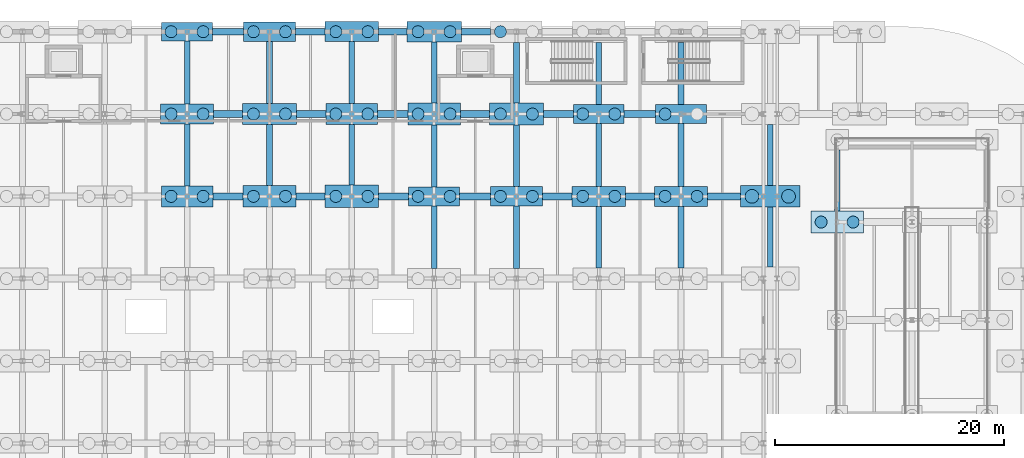
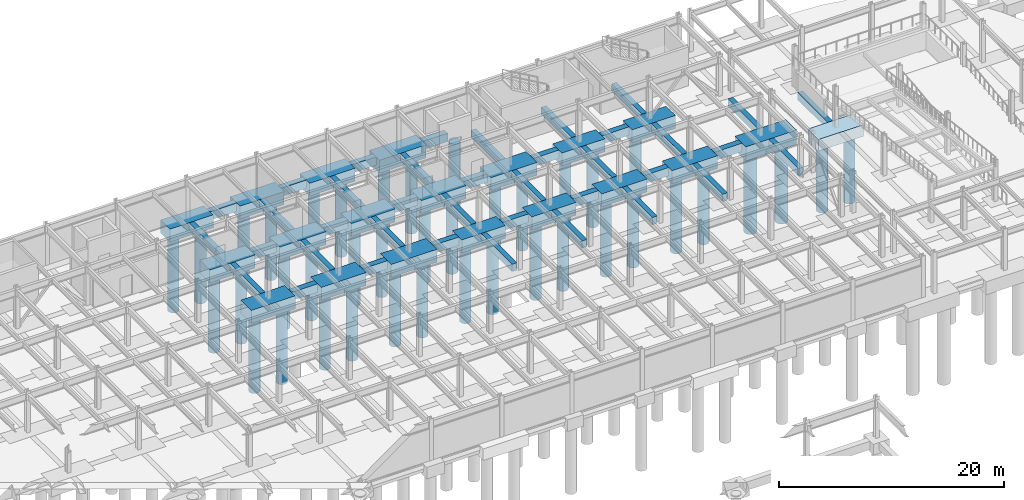
# One storey, part 7 of 54: 58 footings, 40 piles.
"""IFC4 building model written with IfcOpenShell, lengths in metres."""

from ifc_helpers import new_model, si_unit, direction, frame, origin, origin_2d, place, context, subcontext, project, spatial, polyline, rectangle, circle, outline, extrude, material, material_profile, profile_set, type_object, element, save


model = new_model("IFC4")

# Units and contexts
model_context = context("Model", 3, precision=1e-05, world=origin(), true_north=direction((0.0, 1.0)))
body_context = subcontext(model_context, "Body", "Model", "MODEL_VIEW")
ifc_project = project(units=[si_unit("LENGTHUNIT", "METRE"), si_unit("AREAUNIT", "SQUARE_METRE"), si_unit("VOLUMEUNIT", "CUBIC_METRE"), si_unit("PLANEANGLEUNIT", "RADIAN"), si_unit("MASSUNIT", "GRAM", prefix="KILO")], contexts=[model_context])

# Site, building, storey
site_placement = place(None, origin())
site = spatial("IfcSite", under=ifc_project, at=site_placement, CompositionType="ELEMENT")
building_placement = place(site_placement, origin())
building = spatial("IfcBuilding", under=site, at=building_placement, Name="Vaelcorin Mobility Hub", CompositionType="ELEMENT")
storey_placement = place(building_placement, frame((0.0, 0.0, -4.5)))
storey = spatial("IfcBuildingStorey", under=building, at=storey_placement, Name="B1", CompositionType="ELEMENT", Elevation=-4.5)

# Footings
ifc_material = material(Name="Concrete f'c 40 MPa", Category="concrete")
footing_type_1 = type_object("IfcFootingType", Name="FB-500X800", PredefinedType="FOOTING_BEAM", material=ifc_material)
footing_1_placement = place(storey_placement, frame((0.0, 0.0, -0.800048828125)))
element("IfcFooting", 1, at=footing_1_placement, inside=storey, type_object=footing_type_1, Name="Foundation Tie Beam FB-Y-313", PredefinedType="FOOTING_BEAM", context=body_context, shape_type="SweptSolid", body=[
    extrude(outline(polyline([(71.75, 106.52490234375), (72.25, 106.52490234375), (72.25, 111.925048828125), (71.75, 111.925048828125), (71.75, 106.52490234375)])), origin(), (0.0, 0.0, 1.0), 0.800048828125),
])
footing_2_placement = place(storey_placement, frame((0.0, 0.0, -0.800048828125)))
element("IfcFooting", 2, at=footing_2_placement, inside=storey, type_object=footing_type_1, Name="Foundation Tie Beam FB-Y-314", PredefinedType="FOOTING_BEAM", context=body_context, shape_type="SweptSolid", body=[
    extrude(outline(polyline([(71.75, 113.675048828125), (72.25, 113.675048828125), (72.25, 119.175048828125), (71.75, 119.175048828125), (71.75, 113.675048828125)])), origin(), (0.0, 0.0, 1.0), 0.800048828125),
])
footing_3_placement = place(storey_placement, frame((0.0, 0.0, -0.800048828125)))
element("IfcFooting", 3, at=footing_3_placement, inside=storey, type_object=footing_type_1, Name="Foundation Tie Beam FB-Y-320", PredefinedType="FOOTING_BEAM", context=body_context, shape_type="SweptSolid", body=[
    extrude(outline(polyline([(78.949951171875, 106.550048828125), (79.449951171875, 106.550048828125), (79.449951171875, 111.89990234375), (78.949951171875, 111.89990234375), (78.949951171875, 106.550048828125)])), origin(), (0.0, 0.0, 1.0), 0.800048828125),
])
footing_4_placement = place(storey_placement, frame((0.0, 0.0, -0.800048828125)))
element("IfcFooting", 4, at=footing_4_placement, inside=storey, type_object=footing_type_1, Name="Foundation Tie Beam FB-Y-321", PredefinedType="FOOTING_BEAM", context=body_context, shape_type="SweptSolid", body=[
    extrude(outline(polyline([(78.949951171875, 113.699951171875), (79.449951171875, 113.699951171875), (79.449951171875, 119.14990234375), (78.949951171875, 119.14990234375), (78.949951171875, 113.699951171875)])), origin(), (0.0, 0.0, 1.0), 0.800048828125),
])
footing_5_placement = place(storey_placement, frame((0.0, 0.0, -0.800048828125)))
element("IfcFooting", 5, at=footing_5_placement, inside=storey, type_object=footing_type_1, Name="Foundation Tie Beam FB-Y-327", PredefinedType="FOOTING_BEAM", context=body_context, shape_type="SweptSolid", body=[
    extrude(outline(polyline([(86.14990234375, 106.574951171875), (86.64990234375, 106.574951171875), (86.64990234375, 111.875), (86.14990234375, 111.875), (86.14990234375, 106.574951171875)])), origin(), (0.0, 0.0, 1.0), 0.800048828125),
])
footing_6_placement = place(storey_placement, frame((0.0, 0.0, -0.800048828125)))
element("IfcFooting", 6, at=footing_6_placement, inside=storey, type_object=footing_type_1, Name="Foundation Tie Beam FB-Y-328", PredefinedType="FOOTING_BEAM", context=body_context, shape_type="SweptSolid", body=[
    extrude(outline(polyline([(86.14990234375, 113.72509765625), (86.64990234375, 113.72509765625), (86.64990234375, 119.125), (86.14990234375, 119.125), (86.14990234375, 113.72509765625)])), origin(), (0.0, 0.0, 1.0), 0.800048828125),
])
footing_7_placement = place(storey_placement, frame((0.0, 0.0, -0.800048828125)))
element("IfcFooting", 7, at=footing_7_placement, inside=storey, type_object=footing_type_1, Name="Foundation Tie Beam FB-Y-333", PredefinedType="FOOTING_BEAM", context=body_context, shape_type="SweptSolid", body=[
    extrude(outline(polyline([(93.35009765625, 99.27490234375), (93.85009765625, 99.27490234375), (93.85009765625, 104.77490234375), (93.35009765625, 104.77490234375), (93.35009765625, 99.27490234375)])), origin(), (0.0, 0.0, 1.0), 0.800048828125),
])
footing_8_placement = place(storey_placement, frame((0.0, 0.0, -0.800048828125)))
element("IfcFooting", 8, at=footing_8_placement, inside=storey, type_object=footing_type_1, Name="Foundation Tie Beam FB-Y-334", PredefinedType="FOOTING_BEAM", context=body_context, shape_type="SweptSolid", body=[
    extrude(outline(polyline([(93.35009765625, 106.425048828125), (93.85009765625, 106.425048828125), (93.85009765625, 111.85009765625), (93.35009765625, 111.85009765625), (93.35009765625, 106.425048828125)])), origin(), (0.0, 0.0, 1.0), 0.800048828125),
])
footing_9_placement = place(storey_placement, frame((0.0, 0.0, -0.800048828125)))
element("IfcFooting", 9, at=footing_9_placement, inside=storey, type_object=footing_type_1, Name="Foundation Tie Beam FB-Y-335", PredefinedType="FOOTING_BEAM", context=body_context, shape_type="SweptSolid", body=[
    extrude(outline(polyline([(93.35009765625, 113.75), (93.85009765625, 113.75), (93.85009765625, 119.10009765625), (93.35009765625, 119.10009765625), (93.35009765625, 113.75)])), origin(), (0.0, 0.0, 1.0), 0.800048828125),
])
footing_10_placement = place(storey_placement, frame((0.0, 0.0, -0.800048828125)))
element("IfcFooting", 10, at=footing_10_placement, inside=storey, type_object=footing_type_1, Name="Foundation Tie Beam FB-Y-340", PredefinedType="FOOTING_BEAM", context=body_context, shape_type="SweptSolid", body=[
    extrude(outline(polyline([(100.550048828125, 99.300048828125), (101.050048828125, 99.300048828125), (101.050048828125, 104.75), (100.550048828125, 104.75), (100.550048828125, 99.300048828125)])), origin(), (0.0, 0.0, 1.0), 0.800048828125),
])
footing_11_placement = place(storey_placement, frame((0.0, 0.0, -0.800048828125)))
element("IfcFooting", 11, at=footing_11_placement, inside=storey, type_object=footing_type_1, Name="Foundation Tie Beam FB-Y-341", PredefinedType="FOOTING_BEAM", context=body_context, shape_type="SweptSolid", body=[
    extrude(outline(polyline([(100.550048828125, 106.449951171875), (101.050048828125, 106.449951171875), (101.050048828125, 111.824951171875), (100.550048828125, 111.824951171875), (100.550048828125, 106.449951171875)])), origin(), (0.0, 0.0, 1.0), 0.800048828125),
])
footing_12_placement = place(storey_placement, frame((0.0, 0.0, -0.800048828125)))
element("IfcFooting", 12, at=footing_12_placement, inside=storey, type_object=footing_type_1, Name="Foundation Tie Beam FB-Y-342", PredefinedType="FOOTING_BEAM", context=body_context, shape_type="SweptSolid", body=[
    extrude(outline(polyline([(100.550048828125, 113.77490234375), (101.050048828125, 113.77490234375), (101.050048828125, 119.074951171875), (100.550048828125, 119.074951171875), (100.550048828125, 113.77490234375)])), origin(), (0.0, 0.0, 1.0), 0.800048828125),
])
footing_13_placement = place(storey_placement, frame((0.0, 0.0, -0.800048828125)))
element("IfcFooting", 13, at=footing_13_placement, inside=storey, type_object=footing_type_1, Name="Foundation Tie Beam FB-Y-347", PredefinedType="FOOTING_BEAM", context=body_context, shape_type="SweptSolid", body=[
    extrude(outline(polyline([(107.75, 99.324951171875), (108.25, 99.324951171875), (108.25, 104.72509765625), (107.75, 104.72509765625), (107.75, 99.324951171875)])), origin(), (0.0, 0.0, 1.0), 0.800048828125),
])
footing_14_placement = place(storey_placement, frame((0.0, 0.0, -0.800048828125)))
element("IfcFooting", 14, at=footing_14_placement, inside=storey, type_object=footing_type_1, Name="Foundation Tie Beam FB-Y-348", PredefinedType="FOOTING_BEAM", context=body_context, shape_type="SweptSolid", body=[
    extrude(outline(polyline([(107.75, 106.47509765625), (108.25, 106.47509765625), (108.25, 111.97509765625), (107.75, 111.97509765625), (107.75, 106.47509765625)])), origin(), (0.0, 0.0, 1.0), 0.800048828125),
])
footing_15_placement = place(storey_placement, frame((0.0, 0.0, -0.800048828125)))
element("IfcFooting", 15, at=footing_15_placement, inside=storey, type_object=footing_type_1, Name="Foundation Tie Beam FB-Y-349", PredefinedType="FOOTING_BEAM", context=body_context, shape_type="SweptSolid", body=[
    extrude(outline(polyline([(107.75, 113.625), (108.25, 113.625), (108.25, 119.050048828125), (107.75, 119.050048828125), (107.75, 113.625)])), origin(), (0.0, 0.0, 1.0), 0.800048828125),
])
footing_16_placement = place(storey_placement, frame((0.0, 0.0, -0.800048828125)))
element("IfcFooting", 16, at=footing_16_placement, inside=storey, type_object=footing_type_1, Name="Foundation Tie Beam FB-Y-353", PredefinedType="FOOTING_BEAM", context=body_context, shape_type="SweptSolid", body=[
    extrude(outline(polyline([(114.949951171875, 99.324951171875), (115.449951171875, 99.324951171875), (115.449951171875, 104.72509765625), (114.949951171875, 104.72509765625), (114.949951171875, 99.324951171875)])), origin(), (0.0, 0.0, 1.0), 0.800048828125),
])
footing_17_placement = place(storey_placement, frame((0.0, 0.0, -0.800048828125)))
element("IfcFooting", 17, at=footing_17_placement, inside=storey, type_object=footing_type_1, Name="Foundation Tie Beam FB-Y-354", PredefinedType="FOOTING_BEAM", context=body_context, shape_type="SweptSolid", body=[
    extrude(outline(polyline([(114.949951171875, 106.47509765625), (115.449951171875, 106.47509765625), (115.449951171875, 111.97509765625), (114.949951171875, 111.97509765625), (114.949951171875, 106.47509765625)])), origin(), (0.0, 0.0, 1.0), 0.800048828125),
])
footing_18_placement = place(storey_placement, frame((0.0, 0.0, -0.800048828125)))
element("IfcFooting", 18, at=footing_18_placement, inside=storey, type_object=footing_type_1, Name="Foundation Tie Beam FB-Y-355", PredefinedType="FOOTING_BEAM", context=body_context, shape_type="SweptSolid", body=[
    extrude(outline(polyline([(114.949951171875, 113.625), (115.449951171875, 113.625), (115.449951171875, 119.050048828125), (114.949951171875, 119.050048828125), (114.949951171875, 113.625)])), origin(), (0.0, 0.0, 1.0), 0.800048828125),
])
footing_19_placement = place(storey_placement, frame((0.0, 0.0, -0.800048828125)))
element("IfcFooting", 19, at=footing_19_placement, inside=storey, type_object=footing_type_1, Name="Foundation Tie Beam FB-Y-359", PredefinedType="FOOTING_BEAM", context=body_context, shape_type="SweptSolid", body=[
    extrude(outline(polyline([(122.75, 99.39990234375), (123.25, 99.39990234375), (123.25, 104.64990234375), (122.75, 104.64990234375), (122.75, 99.39990234375)])), origin(), (0.0, 0.0, 1.0), 0.800048828125),
])
footing_20_placement = place(storey_placement, frame((0.0, 0.0, -0.800048828125)))
element("IfcFooting", 20, at=footing_20_placement, inside=storey, type_object=footing_type_1, Name="Foundation Tie Beam FB-Y-360", PredefinedType="FOOTING_BEAM", context=body_context, shape_type="SweptSolid", body=[
    extrude(outline(polyline([(122.75, 106.550048828125), (123.25, 106.550048828125), (123.25, 111.89990234375), (122.75, 111.89990234375), (122.75, 106.550048828125)])), origin(), (0.0, 0.0, 1.0), 0.800048828125),
])
footing_21_placement = place(storey_placement, frame((0.0, 0.0, -0.800048828125)))
element("IfcFooting", 21, at=footing_21_placement, inside=storey, type_object=footing_type_1, Name="Foundation Tie Beam FB-Y-483", PredefinedType="FOOTING_BEAM", context=body_context, shape_type="SweptSolid", body=[
    extrude(outline(polyline([(128.60009765625, 104.300048828125), (129.10009765625, 104.300048828125), (129.10009765625, 109.64990234375), (128.60009765625, 109.64990234375), (128.60009765625, 104.300048828125)])), origin(), (0.0, 0.0, 1.0), 0.800048828125),
])
footing_type_2 = type_object("IfcFootingType", Name="FB-600X900", PredefinedType="FOOTING_BEAM", material=ifc_material)
footing_22_placement = place(storey_placement, frame((0.0, 0.0, -0.89990234375)))
element("IfcFooting", 22, at=footing_22_placement, inside=storey, type_object=footing_type_2, Name="Foundation Tie Beam FB-X-102", PredefinedType="FOOTING_BEAM", context=body_context, shape_type="SweptSolid", body=[
    extrude(outline(polyline([(74.25, 105.300048828125), (76.89990234375, 105.300048828125), (76.89990234375, 105.89990234375), (74.25, 105.89990234375), (74.25, 105.300048828125)])), origin(), (0.0, 0.0, 1.0), 0.89990234375),
])
footing_23_placement = place(storey_placement, frame((0.0, 0.0, -0.89990234375)))
element("IfcFooting", 23, at=footing_23_placement, inside=storey, type_object=footing_type_2, Name="Foundation Tie Beam FB-X-103", PredefinedType="FOOTING_BEAM", context=body_context, shape_type="SweptSolid", body=[
    extrude(outline(polyline([(81.5, 105.300048828125), (84.050048828125, 105.300048828125), (84.050048828125, 105.89990234375), (81.5, 105.89990234375), (81.5, 105.300048828125)])), origin(), (0.0, 0.0, 1.0), 0.89990234375),
])
footing_24_placement = place(storey_placement, frame((0.0, 0.0, -0.89990234375)))
element("IfcFooting", 24, at=footing_24_placement, inside=storey, type_object=footing_type_2, Name="Foundation Tie Beam FB-X-104", PredefinedType="FOOTING_BEAM", context=body_context, shape_type="SweptSolid", body=[
    extrude(outline(polyline([(88.75, 105.300048828125), (91.375, 105.300048828125), (91.375, 105.89990234375), (88.75, 105.89990234375), (88.75, 105.300048828125)])), origin(), (0.0, 0.0, 1.0), 0.89990234375),
])
footing_25_placement = place(storey_placement, frame((0.0, 0.0, -0.89990234375)))
element("IfcFooting", 25, at=footing_25_placement, inside=storey, type_object=footing_type_2, Name="Foundation Tie Beam FB-X-105", PredefinedType="FOOTING_BEAM", context=body_context, shape_type="SweptSolid", body=[
    extrude(outline(polyline([(95.824951171875, 105.300048828125), (98.52490234375, 105.300048828125), (98.52490234375, 105.89990234375), (95.824951171875, 105.89990234375), (95.824951171875, 105.300048828125)])), origin(), (0.0, 0.0, 1.0), 0.89990234375),
])
footing_26_placement = place(storey_placement, frame((0.0, 0.0, -0.89990234375)))
element("IfcFooting", 26, at=footing_26_placement, inside=storey, type_object=footing_type_2, Name="Foundation Tie Beam FB-X-106", PredefinedType="FOOTING_BEAM", context=body_context, shape_type="SweptSolid", body=[
    extrude(outline(polyline([(103.074951171875, 105.300048828125), (105.675048828125, 105.300048828125), (105.675048828125, 105.89990234375), (103.074951171875, 105.89990234375), (103.074951171875, 105.300048828125)])), origin(), (0.0, 0.0, 1.0), 0.89990234375),
])
footing_27_placement = place(storey_placement, frame((0.0, 0.0, -0.89990234375)))
element("IfcFooting", 27, at=footing_27_placement, inside=storey, type_object=footing_type_2, Name="Foundation Tie Beam FB-X-107", PredefinedType="FOOTING_BEAM", context=body_context, shape_type="SweptSolid", body=[
    extrude(outline(polyline([(110.324951171875, 105.300048828125), (112.875, 105.300048828125), (112.875, 105.89990234375), (110.324951171875, 105.89990234375), (110.324951171875, 105.300048828125)])), origin(), (0.0, 0.0, 1.0), 0.89990234375),
])
footing_28_placement = place(storey_placement, frame((0.0, 0.0, -0.89990234375)))
element("IfcFooting", 28, at=footing_28_placement, inside=storey, type_object=footing_type_2, Name="Foundation Tie Beam FB-X-108", PredefinedType="FOOTING_BEAM", context=body_context, shape_type="SweptSolid", body=[
    extrude(outline(polyline([(117.52490234375, 105.300048828125), (120.39990234375, 105.300048828125), (120.39990234375, 105.89990234375), (117.52490234375, 105.89990234375), (117.52490234375, 105.300048828125)])), origin(), (0.0, 0.0, 1.0), 0.89990234375),
])
footing_29_placement = place(storey_placement, frame((0.0, 0.0, -0.89990234375)))
element("IfcFooting", 29, at=footing_29_placement, inside=storey, type_object=footing_type_2, Name="Foundation Tie Beam FB-X-125", PredefinedType="FOOTING_BEAM", context=body_context, shape_type="SweptSolid", body=[
    extrude(outline(polyline([(74.324951171875, 112.5), (76.824951171875, 112.5), (76.824951171875, 113.10009765625), (74.324951171875, 113.10009765625), (74.324951171875, 112.5)])), origin(), (0.0, 0.0, 1.0), 0.89990234375),
])
footing_30_placement = place(storey_placement, frame((0.0, 0.0, -0.89990234375)))
element("IfcFooting", 30, at=footing_30_placement, inside=storey, type_object=footing_type_2, Name="Foundation Tie Beam FB-X-126", PredefinedType="FOOTING_BEAM", context=body_context, shape_type="SweptSolid", body=[
    extrude(outline(polyline([(81.574951171875, 112.5), (84.14990234375, 112.5), (84.14990234375, 113.10009765625), (81.574951171875, 113.10009765625), (81.574951171875, 112.5)])), origin(), (0.0, 0.0, 1.0), 0.89990234375),
])
footing_31_placement = place(storey_placement, frame((0.0, 0.0, -0.89990234375)))
element("IfcFooting", 31, at=footing_31_placement, inside=storey, type_object=footing_type_2, Name="Foundation Tie Beam FB-X-127", PredefinedType="FOOTING_BEAM", context=body_context, shape_type="SweptSolid", body=[
    extrude(outline(polyline([(88.64990234375, 112.5), (91.300048828125, 112.5), (91.300048828125, 113.10009765625), (88.64990234375, 113.10009765625), (88.64990234375, 112.5)])), origin(), (0.0, 0.0, 1.0), 0.89990234375),
])
footing_32_placement = place(storey_placement, frame((0.0, 0.0, -0.89990234375)))
element("IfcFooting", 32, at=footing_32_placement, inside=storey, type_object=footing_type_2, Name="Foundation Tie Beam FB-X-128", PredefinedType="FOOTING_BEAM", context=body_context, shape_type="SweptSolid", body=[
    extrude(outline(polyline([(95.89990234375, 112.5), (98.449951171875, 112.5), (98.449951171875, 113.10009765625), (95.89990234375, 113.10009765625), (95.89990234375, 112.5)])), origin(), (0.0, 0.0, 1.0), 0.89990234375),
])
footing_33_placement = place(storey_placement, frame((0.0, 0.0, -0.89990234375)))
element("IfcFooting", 33, at=footing_33_placement, inside=storey, type_object=footing_type_2, Name="Foundation Tie Beam FB-X-129", PredefinedType="FOOTING_BEAM", context=body_context, shape_type="SweptSolid", body=[
    extrude(outline(polyline([(103.14990234375, 112.5), (105.77490234375, 112.5), (105.77490234375, 113.10009765625), (103.14990234375, 113.10009765625), (103.14990234375, 112.5)])), origin(), (0.0, 0.0, 1.0), 0.89990234375),
])
footing_34_placement = place(storey_placement, frame((0.0, 0.0, -0.89990234375)))
element("IfcFooting", 34, at=footing_34_placement, inside=storey, type_object=footing_type_2, Name="Foundation Tie Beam FB-X-130", PredefinedType="FOOTING_BEAM", context=body_context, shape_type="SweptSolid", body=[
    extrude(outline(polyline([(110.22509765625, 112.5), (112.97509765625, 112.5), (112.97509765625, 113.10009765625), (110.22509765625, 113.10009765625), (110.22509765625, 112.5)])), origin(), (0.0, 0.0, 1.0), 0.89990234375),
])
footing_35_placement = place(storey_placement, frame((0.0, 0.0, -0.89990234375)))
element("IfcFooting", 35, at=footing_35_placement, inside=storey, type_object=footing_type_2, Name="Foundation Tie Beam FB-X-149", PredefinedType="FOOTING_BEAM", context=body_context, shape_type="SweptSolid", body=[
    extrude(outline(polyline([(74.22509765625, 119.699951171875), (76.925048828125, 119.699951171875), (76.925048828125, 120.300048828125), (74.22509765625, 120.300048828125), (74.22509765625, 119.699951171875)])), origin(), (0.0, 0.0, 1.0), 0.89990234375),
])
footing_36_placement = place(storey_placement, frame((0.0, 0.0, -0.89990234375)))
element("IfcFooting", 36, at=footing_36_placement, inside=storey, type_object=footing_type_2, Name="Foundation Tie Beam FB-X-150", PredefinedType="FOOTING_BEAM", context=body_context, shape_type="SweptSolid", body=[
    extrude(outline(polyline([(81.47509765625, 119.699951171875), (84.074951171875, 119.699951171875), (84.074951171875, 120.300048828125), (81.47509765625, 120.300048828125), (81.47509765625, 119.699951171875)])), origin(), (0.0, 0.0, 1.0), 0.89990234375),
])
footing_37_placement = place(storey_placement, frame((0.0, 0.0, -0.89990234375)))
element("IfcFooting", 37, at=footing_37_placement, inside=storey, type_object=footing_type_2, Name="Foundation Tie Beam FB-X-151", PredefinedType="FOOTING_BEAM", context=body_context, shape_type="SweptSolid", body=[
    extrude(outline(polyline([(88.72509765625, 119.699951171875), (91.22509765625, 119.699951171875), (91.22509765625, 120.300048828125), (88.72509765625, 120.300048828125), (88.72509765625, 119.699951171875)])), origin(), (0.0, 0.0, 1.0), 0.89990234375),
])
footing_38_placement = place(storey_placement, frame((0.0, 0.0, -0.89990234375)))
element("IfcFooting", 38, at=footing_38_placement, inside=storey, type_object=footing_type_2, Name="Foundation Tie Beam FB-X-152", PredefinedType="FOOTING_BEAM", context=body_context, shape_type="SweptSolid", body=[
    extrude(outline(polyline([(95.97509765625, 119.699951171875), (98.550048828125, 119.699951171875), (98.550048828125, 120.300048828125), (95.97509765625, 120.300048828125), (95.97509765625, 119.699951171875)])), origin(), (0.0, 0.0, 1.0), 0.89990234375),
])
footing_type_3 = type_object("IfcFootingType", Name="FTG-PC-01", PredefinedType="PILE_CAP", material=ifc_material)
for number, where, z_axis, x_axis, name in (
    (39, (79.199951171875, 105.60009765625, -1.39990234375), (0.0, 0.0, 1.0), (1.0, 0.0, 0.0), "Pile Cap PC-01 085"),
    (40, (93.60009765625, 112.800048828125, -1.39990234375), (0.0, 0.0, 1.0), (1.0, 0.0, 0.0), "Pile Cap PC-01 106"),
):
    element("IfcFooting", number, at=place(storey_placement, frame(where, z_axis=z_axis, x_axis=x_axis)), inside=storey, type_object=footing_type_3, Name=name, PredefinedType="PILE_CAP", context=body_context, shape_type="SweptSolid", body=[
        extrude(rectangle(XDim=4.60009765625, YDim=1.89990234375, at=origin_2d()), origin(), (0.0, 0.0, 1.0), 1.39990234375),
    ])
footing_type_4 = type_object("IfcFootingType", Name="FTG-PC-02", PredefinedType="PILE_CAP", material=ifc_material)
for number, where, z_axis, x_axis, name in (
    (41, (79.199951171875, 112.800048828125, -1.39990234375), (0.0, 0.0, 1.0), (1.0, 0.0, 0.0), "Pile Cap PC-02 086"),
    (42, (93.60009765625, 120.0, -1.39990234375), (0.0, 0.0, 1.0), (1.0, 0.0, 0.0), "Pile Cap PC-02 107"),
):
    element("IfcFooting", number, at=place(storey_placement, frame(where, z_axis=z_axis, x_axis=x_axis)), inside=storey, type_object=footing_type_4, Name=name, PredefinedType="PILE_CAP", context=body_context, shape_type="SweptSolid", body=[
        extrude(rectangle(XDim=4.75, YDim=1.800048828125, at=origin_2d()), origin(), (0.0, 0.0, 1.0), 1.39990234375),
    ])
footing_type_5 = type_object("IfcFootingType", Name="FTG-PC-03", PredefinedType="PILE_CAP", material=ifc_material)
for number, where, z_axis, x_axis, name in (
    (43, (79.199951171875, 120.0, -1.39990234375), (0.0, 0.0, 1.0), (1.0, 0.0, 0.0), "Pile Cap PC-03 087"),
    (44, (100.800048828125, 105.60009765625, -1.39990234375), (0.0, 0.0, 1.0), (1.0, 0.0, 0.0), "Pile Cap PC-03 115"),
):
    element("IfcFooting", number, at=place(storey_placement, frame(where, z_axis=z_axis, x_axis=x_axis)), inside=storey, type_object=footing_type_5, Name=name, PredefinedType="PILE_CAP", context=body_context, shape_type="SweptSolid", body=[
        extrude(rectangle(XDim=4.550048828125, YDim=1.699951171875, at=origin_2d()), origin(), (0.0, 0.0, 1.0), 1.39990234375),
    ])
footing_type_6 = type_object("IfcFootingType", Name="FTG-PC-04", PredefinedType="PILE_CAP", material=ifc_material)
for number, where, z_axis, x_axis, name in (
    (45, (86.39990234375, 105.60009765625, -1.39990234375), (0.0, 0.0, 1.0), (1.0, 0.0, 0.0), "Pile Cap PC-04 095"),
    (46, (100.800048828125, 112.800048828125, -1.39990234375), (0.0, 0.0, 1.0), (1.0, 0.0, 0.0), "Pile Cap PC-04 116"),
):
    element("IfcFooting", number, at=place(storey_placement, frame(where, z_axis=z_axis, x_axis=x_axis)), inside=storey, type_object=footing_type_6, Name=name, PredefinedType="PILE_CAP", context=body_context, shape_type="SweptSolid", body=[
        extrude(rectangle(XDim=4.699951171875, YDim=1.949951171875, at=origin_2d()), origin(), (0.0, 0.0, 1.0), 1.39990234375),
    ])
footing_type_7 = type_object("IfcFootingType", Name="FTG-PC-05", PredefinedType="PILE_CAP", material=ifc_material)
for number, where, z_axis, x_axis, name in (
    (47, (72.0, 105.60009765625, -1.39990234375), (0.0, 0.0, 1.0), (1.0, 0.0, 0.0), "Pile Cap PC-05 075"),
    (48, (86.39990234375, 112.800048828125, -1.39990234375), (0.0, 0.0, 1.0), (1.0, 0.0, 0.0), "Pile Cap PC-05 096"),
):
    element("IfcFooting", number, at=place(storey_placement, frame(where, z_axis=z_axis, x_axis=x_axis)), inside=storey, type_object=footing_type_7, Name=name, PredefinedType="PILE_CAP", context=body_context, shape_type="SweptSolid", body=[
        extrude(rectangle(XDim=4.5, YDim=1.85009765625, at=origin_2d()), origin(), (0.0, 0.0, 1.0), 1.39990234375),
    ])
footing_type_8 = type_object("IfcFootingType", Name="FTG-PC-06", PredefinedType="PILE_CAP", material=ifc_material)
for number, where, z_axis, x_axis, name in (
    (49, (72.0, 112.800048828125, -1.39990234375), (0.0, 0.0, 1.0), (1.0, 0.0, 0.0), "Pile Cap PC-06 076"),
    (50, (86.39990234375, 120.0, -1.39990234375), (0.0, 0.0, 1.0), (1.0, 0.0, 0.0), "Pile Cap PC-06 097"),
    (51, (108.0, 105.60009765625, -1.39990234375), (0.0, 0.0, 1.0), (1.0, 0.0, 0.0), "Pile Cap PC-06 125"),
    (52, (115.199951171875, 105.60009765625, -1.39990234375), (0.0, 0.0, 1.0), (1.0, 0.0, 0.0), "Pile Cap PC-06 132"),
):
    element("IfcFooting", number, at=place(storey_placement, frame(where, z_axis=z_axis, x_axis=x_axis)), inside=storey, type_object=footing_type_8, Name=name, PredefinedType="PILE_CAP", context=body_context, shape_type="SweptSolid", body=[
        extrude(rectangle(XDim=4.64990234375, YDim=1.75, at=origin_2d()), origin(), (0.0, 0.0, 1.0), 1.39990234375),
    ])
footing_type_9 = type_object("IfcFootingType", Name="FTG-PC-07", PredefinedType="PILE_CAP", material=ifc_material)
for number, where, z_axis, x_axis, name in (
    (53, (72.0, 120.0, -1.39990234375), (0.0, 0.0, 1.0), (1.0, 0.0, 0.0), "Pile Cap PC-07 077"),
    (54, (93.60009765625, 105.60009765625, -1.39990234375), (0.0, 0.0, 1.0), (1.0, 0.0, 0.0), "Pile Cap PC-07 105"),
    (55, (108.0, 112.800048828125, -1.39990234375), (0.0, 0.0, 1.0), (1.0, 0.0, 0.0), "Pile Cap PC-07 126"),
    (56, (115.199951171875, 112.800048828125, -1.39990234375), (0.0, 0.0, 1.0), (1.0, 0.0, 0.0), "Pile Cap PC-07 133"),
):
    element("IfcFooting", number, at=place(storey_placement, frame(where, z_axis=z_axis, x_axis=x_axis)), inside=storey, type_object=footing_type_9, Name=name, PredefinedType="PILE_CAP", context=body_context, shape_type="SweptSolid", body=[
        extrude(rectangle(XDim=4.449951171875, YDim=1.64990234375, at=origin_2d()), origin(), (0.0, 0.0, 1.0), 1.39990234375),
    ])
footing_type_10 = type_object("IfcFootingType", Name="FTG-PC-32", PredefinedType="PILE_CAP", material=ifc_material)
footing_39_placement = place(storey_placement, frame((128.85009765625, 103.35009765625, -1.25), z_axis=(0.0, 0.0, 1.0), x_axis=(1.0, 0.0, 0.0)))
element("IfcFooting", 57, at=footing_39_placement, inside=storey, type_object=footing_type_10, Name="Pile Cap PC-32 288", PredefinedType="PILE_CAP", context=body_context, shape_type="SweptSolid", body=[
    extrude(rectangle(XDim=4.60009765625, YDim=1.89990234375, at=origin_2d()), origin(), (0.0, 0.0, 1.0), 1.25),
])
footing_type_11 = type_object("IfcFootingType", Name="FTG-PC-COMB10", PredefinedType="PILE_CAP", material=ifc_material)
footing_40_placement = place(storey_placement, frame((123.0, 105.60009765625, -1.5498046875), z_axis=(0.0, 0.0, 1.0), x_axis=(1.0, 0.0, 0.0)))
element("IfcFooting", 58, at=footing_40_placement, inside=storey, type_object=footing_type_11, Name="Pile Cap PC-COMB10 139", PredefinedType="PILE_CAP", context=body_context, shape_type="SweptSolid", body=[
    extrude(rectangle(XDim=5.199951171875, YDim=1.89990234375, at=origin_2d()), origin(), (0.0, 0.0, 1.0), 1.550048828125),
])

# Piles
ifc_material_profile_1 = material_profile(ifc_material, circle(Radius=0.52490234375, at=origin_2d()), Name="BP-D1050")
ifc_profile_set_1 = profile_set([ifc_material_profile_1], Name="Concrete f'c 40 MPa")
pile_type_1 = type_object("IfcPileType", Name="PILE-D1050", PredefinedType="BORED", material=ifc_profile_set_1)
for number, where, z_axis, x_axis, name in (
    (59, (70.60009765625, 105.60009765625, -1.300048828125), (0.0, 0.0, -1.0), (1.0, 0.0, 0.0), "Bored Pile CAP-075-P1"),
    (60, (73.39990234375, 105.60009765625, -1.300048828125), (0.0, 0.0, -1.0), (1.0, 0.0, 0.0), "Bored Pile CAP-075-P2"),
    (61, (70.60009765625, 112.800048828125, -1.300048828125), (0.0, 0.0, -1.0), (1.0, 0.0, 0.0), "Bored Pile CAP-076-P1"),
    (62, (73.39990234375, 112.800048828125, -1.300048828125), (0.0, 0.0, -1.0), (1.0, 0.0, 0.0), "Bored Pile CAP-076-P2"),
    (63, (70.60009765625, 120.0, -1.300048828125), (0.0, 0.0, -1.0), (1.0, 0.0, 0.0), "Bored Pile CAP-077-P1"),
    (64, (73.39990234375, 120.0, -1.300048828125), (0.0, 0.0, -1.0), (1.0, 0.0, 0.0), "Bored Pile CAP-077-P2"),
    (65, (77.800048828125, 105.60009765625, -1.300048828125), (0.0, 0.0, -1.0), (1.0, 0.0, 0.0), "Bored Pile CAP-085-P1"),
    (66, (80.60009765625, 105.60009765625, -1.300048828125), (0.0, 0.0, -1.0), (1.0, 0.0, 0.0), "Bored Pile CAP-085-P2"),
    (67, (77.800048828125, 112.800048828125, -1.300048828125), (0.0, 0.0, -1.0), (1.0, 0.0, 0.0), "Bored Pile CAP-086-P1"),
    (68, (80.60009765625, 112.800048828125, -1.300048828125), (0.0, 0.0, -1.0), (1.0, 0.0, 0.0), "Bored Pile CAP-086-P2"),
    (69, (77.800048828125, 120.0, -1.300048828125), (0.0, 0.0, -1.0), (1.0, 0.0, 0.0), "Bored Pile CAP-087-P1"),
    (70, (80.60009765625, 120.0, -1.300048828125), (0.0, 0.0, -1.0), (1.0, 0.0, 0.0), "Bored Pile CAP-087-P2"),
    (71, (85.0, 105.60009765625, -1.300048828125), (0.0, 0.0, -1.0), (1.0, 0.0, 0.0), "Bored Pile CAP-095-P1"),
    (72, (87.800048828125, 105.60009765625, -1.300048828125), (0.0, 0.0, -1.0), (1.0, 0.0, 0.0), "Bored Pile CAP-095-P2"),
    (73, (85.0, 112.800048828125, -1.300048828125), (0.0, 0.0, -1.0), (1.0, 0.0, 0.0), "Bored Pile CAP-096-P1"),
    (74, (87.800048828125, 112.800048828125, -1.300048828125), (0.0, 0.0, -1.0), (1.0, 0.0, 0.0), "Bored Pile CAP-096-P2"),
    (75, (85.0, 120.0, -1.300048828125), (0.0, 0.0, -1.0), (1.0, 0.0, 0.0), "Bored Pile CAP-097-P1"),
    (76, (87.800048828125, 120.0, -1.300048828125), (0.0, 0.0, -1.0), (1.0, 0.0, 0.0), "Bored Pile CAP-097-P2"),
    (77, (92.199951171875, 105.60009765625, -1.300048828125), (0.0, 0.0, -1.0), (1.0, 0.0, 0.0), "Bored Pile CAP-105-P1"),
    (78, (95.0, 105.60009765625, -1.300048828125), (0.0, 0.0, -1.0), (1.0, 0.0, 0.0), "Bored Pile CAP-105-P2"),
    (79, (92.199951171875, 112.800048828125, -1.300048828125), (0.0, 0.0, -1.0), (1.0, 0.0, 0.0), "Bored Pile CAP-106-P1"),
    (80, (95.0, 112.800048828125, -1.300048828125), (0.0, 0.0, -1.0), (1.0, 0.0, 0.0), "Bored Pile CAP-106-P2"),
    (81, (92.199951171875, 120.0, -1.300048828125), (0.0, 0.0, -1.0), (1.0, 0.0, 0.0), "Bored Pile CAP-107-P1"),
    (82, (95.0, 120.0, -1.300048828125), (0.0, 0.0, -1.0), (1.0, 0.0, 0.0), "Bored Pile CAP-107-P2"),
    (83, (99.39990234375, 105.60009765625, -1.300048828125), (0.0, 0.0, -1.0), (1.0, 0.0, 0.0), "Bored Pile CAP-115-P1"),
    (84, (102.199951171875, 105.60009765625, -1.300048828125), (0.0, 0.0, -1.0), (1.0, 0.0, 0.0), "Bored Pile CAP-115-P2"),
    (85, (99.39990234375, 112.800048828125, -1.300048828125), (0.0, 0.0, -1.0), (1.0, 0.0, 0.0), "Bored Pile CAP-116-P1"),
    (86, (102.199951171875, 112.800048828125, -1.300048828125), (0.0, 0.0, -1.0), (1.0, 0.0, 0.0), "Bored Pile CAP-116-P2"),
    (87, (99.39990234375, 120.0, -1.300048828125), (0.0, 0.0, -1.0), (1.0, 0.0, 0.0), "Bored Pile CAP-117-P1"),
    (88, (106.60009765625, 105.60009765625, -1.300048828125), (0.0, 0.0, -1.0), (1.0, 0.0, 0.0), "Bored Pile CAP-125-P1"),
    (89, (109.39990234375, 105.60009765625, -1.300048828125), (0.0, 0.0, -1.0), (1.0, 0.0, 0.0), "Bored Pile CAP-125-P2"),
    (90, (106.60009765625, 112.800048828125, -1.300048828125), (0.0, 0.0, -1.0), (1.0, 0.0, 0.0), "Bored Pile CAP-126-P1"),
    (91, (109.39990234375, 112.800048828125, -1.300048828125), (0.0, 0.0, -1.0), (1.0, 0.0, 0.0), "Bored Pile CAP-126-P2"),
    (92, (113.800048828125, 105.60009765625, -1.300048828125), (0.0, 0.0, -1.0), (1.0, 0.0, 0.0), "Bored Pile CAP-132-P1"),
    (93, (116.60009765625, 105.60009765625, -1.300048828125), (0.0, 0.0, -1.0), (1.0, 0.0, 0.0), "Bored Pile CAP-132-P2"),
    (94, (113.800048828125, 112.800048828125, -1.300048828125), (0.0, 0.0, -1.0), (1.0, 0.0, 0.0), "Bored Pile CAP-133-P1"),
):
    element("IfcPile", number, at=place(storey_placement, frame(where, z_axis=z_axis, x_axis=x_axis)), inside=storey, type_object=pile_type_1, Name=name, PredefinedType="BORED", context=body_context, shape_type="SweptSolid", body=[
        extrude(circle(Radius=0.52490234375, at=origin_2d()), origin(), (0.0, 0.0, 1.0), 8.199951171875),
    ])
for number, where, z_axis, x_axis, name in (
    (95, (127.449951171875, 103.35009765625, -1.14990234375), (0.0, 0.0, -1.0), (1.0, 0.0, 0.0), "Bored Pile CAP-288-P1"),
    (96, (130.25, 103.35009765625, -1.14990234375), (0.0, 0.0, -1.0), (1.0, 0.0, 0.0), "Bored Pile CAP-288-P2"),
):
    element("IfcPile", number, at=place(storey_placement, frame(where, z_axis=z_axis, x_axis=x_axis)), inside=storey, type_object=pile_type_1, Name=name, PredefinedType="BORED", context=body_context, shape_type="SweptSolid", body=[
        extrude(circle(Radius=0.52490234375, at=origin_2d()), origin(), (0.0, 0.0, 1.0), 7.35009765625),
    ])
ifc_material_profile_2 = material_profile(ifc_material, circle(Radius=0.60009765625, at=origin_2d()), Name="BP-D1200")
ifc_profile_set_2 = profile_set([ifc_material_profile_2], Name="Concrete f'c 40 MPa")
pile_type_2 = type_object("IfcPileType", Name="PILE-D1200", PredefinedType="BORED", material=ifc_profile_set_2)
for number, where, z_axis, x_axis, name in (
    (97, (121.39990234375, 105.60009765625, -1.449951171875), (0.0, 0.0, -1.0), (1.0, 0.0, 0.0), "Bored Pile CAP-139-P1"),
    (98, (124.60009765625, 105.60009765625, -1.449951171875), (0.0, 0.0, -1.0), (1.0, 0.0, 0.0), "Bored Pile CAP-139-P2"),
):
    element("IfcPile", number, at=place(storey_placement, frame(where, z_axis=z_axis, x_axis=x_axis)), inside=storey, type_object=pile_type_2, Name=name, PredefinedType="BORED", context=body_context, shape_type="SweptSolid", body=[
        extrude(circle(Radius=0.60009765625, at=origin_2d()), origin(), (0.0, 0.0, 1.0), 8.550048828125),
    ])

save(model, "model.ifc")
